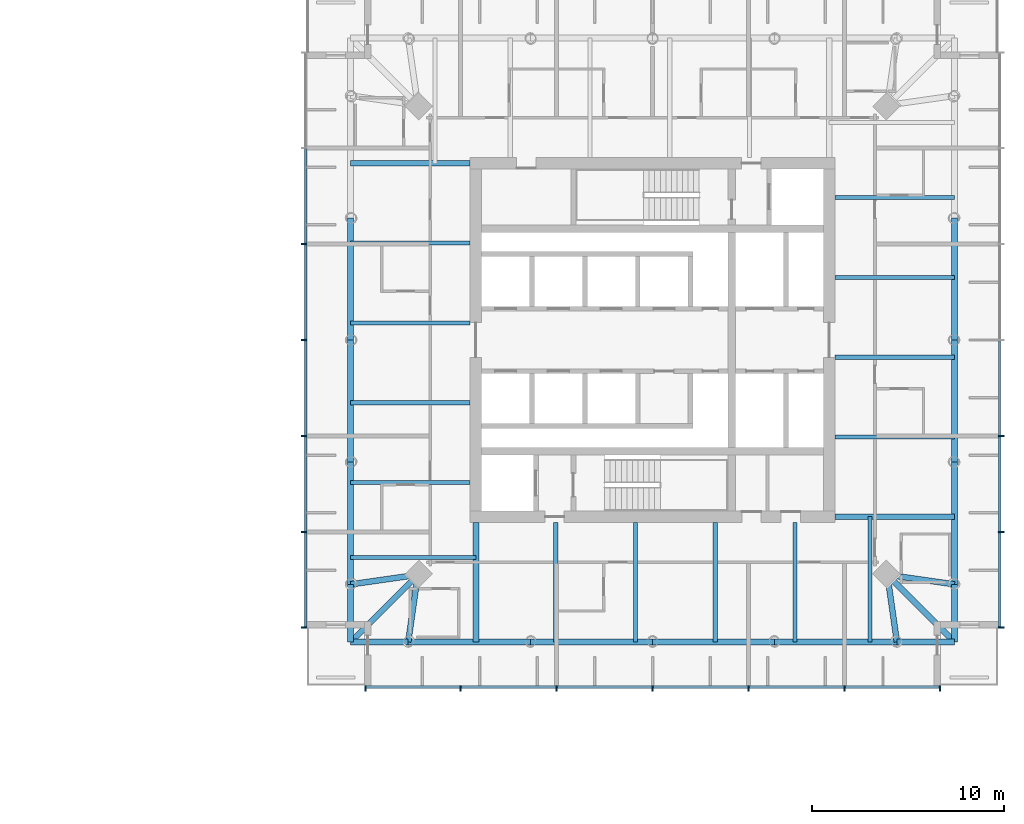
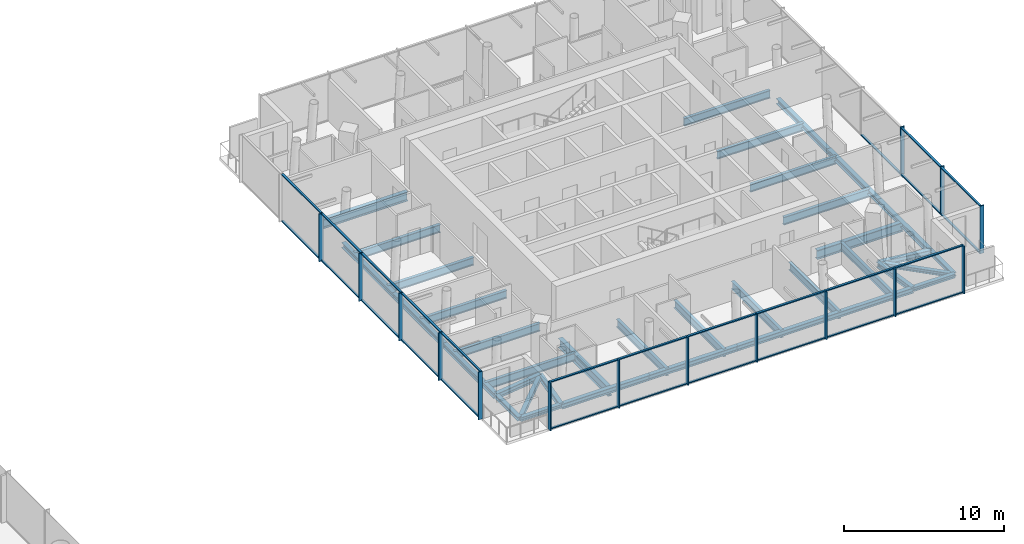
# One storey, part 4 of 18: 42 members, 37 beams, 3 elements without a shape of their own.
"""IFC4 building model written with IfcOpenShell, lengths in metres."""

from ifc_helpers import new_model, si_unit, direction, frame, origin, origin_2d, place, context, subcontext, project, spatial, rectangle, i_section, extrude, material, material_profile, profile_set, type_object, element, aggregate, save


model = new_model("IFC4")

# Units and contexts
model_context = context("Model", 3, precision=1e-05, world=origin(), true_north=direction((0.0, 1.0)))
body_context = subcontext(model_context, "Body", "Model", "MODEL_VIEW")
ifc_project = project(units=[si_unit("LENGTHUNIT", "METRE"), si_unit("AREAUNIT", "SQUARE_METRE"), si_unit("VOLUMEUNIT", "CUBIC_METRE"), si_unit("PLANEANGLEUNIT", "RADIAN"), si_unit("MASSUNIT", "GRAM", prefix="KILO")], contexts=[model_context])

# Site, building, storey
site_placement = place(None, origin())
site = spatial("IfcSite", under=ifc_project, at=site_placement, CompositionType="ELEMENT")
building_placement = place(site_placement, origin())
building = spatial("IfcBuilding", under=site, at=building_placement, Name="Ostroluk Exchange", CompositionType="ELEMENT")
storey_placement = place(building_placement, frame((0.0, 0.0, 97.0)))
storey = spatial("IfcBuildingStorey", under=building, at=storey_placement, Name="L24", CompositionType="ELEMENT", Elevation=97.0)

# Beams
ifc_material_1 = material(Name="Steel S355", Category="steel")
ifc_material_profile_1 = material_profile(ifc_material_1, i_section(OverallWidth=0.300048828125, OverallDepth=0.300048828125, WebThickness=0.010986328125, FlangeThickness=0.01904296875, FilletRadius=0.027099609375, at=origin_2d()), Name="HEB 300")
ifc_profile_set_1 = profile_set([ifc_material_profile_1], Name="Steel S355")
beam_type_1 = type_object("IfcBeamType", Name="Balcony beam HEB 300", PredefinedType="BEAM", material=ifc_profile_set_1)
for number, where, z_axis, x_axis, name in (
    (1, (101.27587890625, 33.27587890625, -0.35009765625), (0.0, -1.0, 0.0), (1.0, 0.0, 0.0), "T2 west balcony beam a"),
    (2, (104.27587890625, 30.27587890625, -0.35009765625), (-1.0, 0.0, 0.0), (0.0, -1.0, 0.0), "T2 west balcony beam b"),
):
    element("IfcBeam", number, at=place(storey_placement, frame(where, z_axis=z_axis, x_axis=x_axis)), inside=storey, type_object=beam_type_1, Name=name, PredefinedType="BEAM", context=body_context, shape_type="SweptSolid", body=[
        extrude(i_section(OverallWidth=0.300048828125, OverallDepth=0.300048828125, WebThickness=0.010986328125, FlangeThickness=0.01904296875, FilletRadius=0.027099609375, at=origin_2d()), origin(), (0.0, 0.0, 1.0), 3.0),
    ])
beam_1_placement = place(storey_placement, frame((104.77587890625, 33.77587890625, -0.35009765625), z_axis=(-0.707106781187, -0.707106781187, 0.0), x_axis=(0.707106781187, -0.707106781187, 0.0)))
element("IfcBeam", 3, at=beam_1_placement, inside=storey, type_object=beam_type_1, Name="T2 west balcony beam c", PredefinedType="BEAM", context=body_context, shape_type="SweptSolid", body=[
    extrude(i_section(OverallWidth=0.300048828125, OverallDepth=0.300048828125, WebThickness=0.010986328125, FlangeThickness=0.01904296875, FilletRadius=0.027099609375, at=origin_2d()), origin(), (0.0, 0.0, 1.0), 4.94970703125),
])
for number, where, z_axis, x_axis, name in (
    (4, (129.72412109375, 30.27587890625, -0.35009765625), (1.0, 0.0, 0.0), (0.0, 1.0, 0.0), "T2 south balcony beam a"),
    (5, (132.72412109375, 33.27587890625, -0.35009765625), (0.0, -1.0, 0.0), (1.0, 0.0, 0.0), "T2 south balcony beam b"),
):
    element("IfcBeam", number, at=place(storey_placement, frame(where, z_axis=z_axis, x_axis=x_axis)), inside=storey, type_object=beam_type_1, Name=name, PredefinedType="BEAM", context=body_context, shape_type="SweptSolid", body=[
        extrude(i_section(OverallWidth=0.300048828125, OverallDepth=0.300048828125, WebThickness=0.010986328125, FlangeThickness=0.01904296875, FilletRadius=0.027099609375, at=origin_2d()), origin(), (0.0, 0.0, 1.0), 3.0),
    ])
beam_2_placement = place(storey_placement, frame((129.22412109375, 33.77587890625, -0.35009765625), z_axis=(0.707106781187, -0.707106781187, 0.0), x_axis=(0.707106781187, 0.707106781187, 0.0)))
element("IfcBeam", 6, at=beam_2_placement, inside=storey, type_object=beam_type_1, Name="T2 south balcony beam c", PredefinedType="BEAM", context=body_context, shape_type="SweptSolid", body=[
    extrude(i_section(OverallWidth=0.300048828125, OverallDepth=0.300048828125, WebThickness=0.010986328125, FlangeThickness=0.01904296875, FilletRadius=0.027099609375, at=origin_2d()), origin(), (0.0, 0.0, 1.0), 4.94970703125),
])
ifc_material_2 = material(Name="Steel S355", Category="steel")
ifc_material_profile_2 = material_profile(ifc_material_2, i_section(OverallWidth=0.300048828125, OverallDepth=0.39990234375, WebThickness=0.013427734375, FlangeThickness=0.02392578125, FilletRadius=0.027099609375, at=origin_2d()), Name="HEB 400")
ifc_profile_set_2 = profile_set([ifc_material_profile_2], Name="Steel S355")
beam_type_2 = type_object("IfcBeamType", Name="Corner edge beam HEB 400", PredefinedType="SPANDREL", material=ifc_profile_set_2)
for number, where, z_axis, x_axis, name in (
    (7, (104.77587890625, 33.77587890625, -0.39990234375), (-0.989949493661, -0.141421356237, 0.0), (0.141421356237, -0.989949493661, 0.0), "T2 west corner edge beam a"),
    (8, (104.77587890625, 33.77587890625, -0.39990234375), (-0.141421356237, -0.989949493661, 0.0), (0.989949493661, -0.141421356237, 0.0), "T2 west corner edge beam b"),
    (9, (129.22412109375, 33.77587890625, -0.39990234375), (0.141421356237, -0.989949493661, 0.0), (0.989949493661, 0.141421356237, 0.0), "T2 south corner edge beam a"),
    (10, (129.22412109375, 33.77587890625, -0.39990234375), (0.989949493661, -0.141421356237, 0.0), (0.141421356237, 0.989949493661, 0.0), "T2 south corner edge beam b"),
):
    element("IfcBeam", number, at=place(storey_placement, frame(where, z_axis=z_axis, x_axis=x_axis)), inside=storey, type_object=beam_type_2, Name=name, PredefinedType="SPANDREL", context=body_context, shape_type="SweptSolid", body=[
        extrude(i_section(OverallWidth=0.300048828125, OverallDepth=0.39990234375, WebThickness=0.013427734375, FlangeThickness=0.02392578125, FilletRadius=0.027099609375, at=origin_2d()), origin(), (0.0, 0.0, 1.0), 3.53564453125),
    ])
ifc_material_3 = material(Name="Steel S355", Category="steel")
ifc_material_profile_3 = material_profile(ifc_material_3, i_section(OverallWidth=0.219970703125, OverallDepth=0.60009765625, WebThickness=0.011962890625, FlangeThickness=0.01904296875, FilletRadius=0.02392578125, at=origin_2d()), Name="IPE 600")
ifc_profile_set_3 = profile_set([ifc_material_profile_3], Name="Steel S355")
beam_type_3 = type_object("IfcBeamType", Name="Floor beam IPE 600", PredefinedType="BEAM", material=ifc_profile_set_3)
for number, where, z_axis, x_axis, name in (
    (11, (126.5, 40.9541015625, -0.5), (1.0, 0.0, 0.0), (0.0, 1.0, 0.0), "T2 east floor beam 1"),
    (12, (126.5, 45.108154296875, -0.5), (1.0, 0.0, 0.0), (0.0, 1.0, 0.0), "T2 east floor beam 2"),
    (13, (126.5, 49.261962890625, -0.5), (1.0, 0.0, 0.0), (0.0, 1.0, 0.0), "T2 east floor beam 3"),
    (14, (126.5, 53.416015625, -0.5), (1.0, 0.0, 0.0), (0.0, 1.0, 0.0), "T2 east floor beam 4"),
    (15, (107.5, 51.0458984375, -0.5), (-1.0, 0.0, 0.0), (0.0, -1.0, 0.0), "T2 west floor beam 1"),
    (16, (107.5, 46.891845703125, -0.5), (-1.0, 0.0, 0.0), (0.0, -1.0, 0.0), "T2 west floor beam 2"),
    (17, (107.5, 42.738037109375, -0.5), (-1.0, 0.0, 0.0), (0.0, -1.0, 0.0), "T2 west floor beam 3"),
    (18, (107.5, 38.583984375, -0.5), (-1.0, 0.0, 0.0), (0.0, -1.0, 0.0), "T2 west floor beam 4"),
):
    element("IfcBeam", number, at=place(storey_placement, frame(where, z_axis=z_axis, x_axis=x_axis)), inside=storey, type_object=beam_type_3, Name=name, PredefinedType="BEAM", context=body_context, shape_type="SweptSolid", body=[
        extrude(i_section(OverallWidth=0.219970703125, OverallDepth=0.60009765625, WebThickness=0.011962890625, FlangeThickness=0.01904296875, FilletRadius=0.02392578125, at=origin_2d()), origin(), (0.0, 0.0, 1.0), 6.22412109375),
    ])
beam_3_placement = place(storey_placement, frame((107.800048828125, 34.67578125, -0.5), z_axis=(-1.0, 0.0, 0.0), x_axis=(0.0, -1.0, 0.0)))
element("IfcBeam", 19, at=beam_3_placement, inside=storey, type_object=beam_type_3, Name="T2 west floor beam 5", PredefinedType="BEAM", context=body_context, shape_type="SweptSolid", body=[
    extrude(i_section(OverallWidth=0.219970703125, OverallDepth=0.60009765625, WebThickness=0.011962890625, FlangeThickness=0.01904296875, FilletRadius=0.02392578125, at=origin_2d()), origin(), (0.0, 0.0, 1.0), 6.524169921875),
])
for number, where, z_axis, x_axis, name in (
    (20, (111.9541015625, 36.5, -0.5), (0.0, -1.0, 0.0), (1.0, 0.0, 0.0), "T2 south floor beam 1"),
    (21, (116.108154296875, 36.5, -0.5), (0.0, -1.0, 0.0), (1.0, 0.0, 0.0), "T2 south floor beam 2"),
    (22, (120.261962890625, 36.5, -0.5), (0.0, -1.0, 0.0), (1.0, 0.0, 0.0), "T2 south floor beam 3"),
    (23, (124.416015625, 36.5, -0.5), (0.0, -1.0, 0.0), (1.0, 0.0, 0.0), "T2 south floor beam 4"),
):
    element("IfcBeam", number, at=place(storey_placement, frame(where, z_axis=z_axis, x_axis=x_axis)), inside=storey, type_object=beam_type_3, Name=name, PredefinedType="BEAM", context=body_context, shape_type="SweptSolid", body=[
        extrude(i_section(OverallWidth=0.219970703125, OverallDepth=0.60009765625, WebThickness=0.011962890625, FlangeThickness=0.01904296875, FilletRadius=0.02392578125, at=origin_2d()), origin(), (0.0, 0.0, 1.0), 6.22412109375),
    ])
beam_4_placement = place(storey_placement, frame((128.32421875, 36.800048828125, -0.5), z_axis=(0.0, -1.0, 0.0), x_axis=(1.0, 0.0, 0.0)))
element("IfcBeam", 24, at=beam_4_placement, inside=storey, type_object=beam_type_3, Name="T2 south floor beam 5", PredefinedType="BEAM", context=body_context, shape_type="SweptSolid", body=[
    extrude(i_section(OverallWidth=0.219970703125, OverallDepth=0.60009765625, WebThickness=0.011962890625, FlangeThickness=0.01904296875, FilletRadius=0.02392578125, at=origin_2d()), origin(), (0.0, 0.0, 1.0), 6.524169921875),
])
ifc_material_4 = material(Name="Steel S355", Category="steel")
ifc_material_profile_4 = material_profile(ifc_material_4, i_section(OverallWidth=0.300048828125, OverallDepth=0.699951171875, WebThickness=0.01708984375, FlangeThickness=0.031982421875, FilletRadius=0.027099609375, at=origin_2d()), Name="HEB 700")
ifc_profile_set_4 = profile_set([ifc_material_profile_4], Name="Steel S355")
beam_type_4 = type_object("IfcBeamType", Name="Girder HEB 700", PredefinedType="BEAM", material=ifc_profile_set_4)
for number, where, z_axis, x_axis, name in (
    (25, (107.5, 55.199951171875, -0.550048828125), (-1.0, 0.0, 0.0), (0.0, -1.0, 0.0), "T2 north girder"),
    (26, (107.800048828125, 36.5, -0.550048828125), (0.0, -1.0, 0.0), (1.0, 0.0, 0.0), "T2 west girder"),
    (27, (126.5, 36.800048828125, -0.550048828125), (1.0, 0.0, 0.0), (0.0, 1.0, 0.0), "T2 south girder"),
):
    element("IfcBeam", number, at=place(storey_placement, frame(where, z_axis=z_axis, x_axis=x_axis)), inside=storey, type_object=beam_type_4, Name=name, PredefinedType="BEAM", context=body_context, shape_type="SweptSolid", body=[
        extrude(i_section(OverallWidth=0.300048828125, OverallDepth=0.699951171875, WebThickness=0.01708984375, FlangeThickness=0.031982421875, FilletRadius=0.027099609375, at=origin_2d()), origin(), (0.0, 0.0, 1.0), 6.22412109375),
    ])
ifc_material_5 = material(Name="Steel S355", Category="steel")
ifc_material_profile_5 = material_profile(ifc_material_5, i_section(OverallWidth=0.300048828125, OverallDepth=0.39990234375, WebThickness=0.013427734375, FlangeThickness=0.02392578125, FilletRadius=0.027099609375, at=origin_2d()), Name="HEB 400")
ifc_profile_set_5 = profile_set([ifc_material_profile_5], Name="Steel S355")
beam_type_5 = type_object("IfcBeamType", Name="Moment-connected edge beam HEB 400", PredefinedType="SPANDREL", material=ifc_profile_set_5)
for number, where, z_axis, x_axis, name in (
    (28, (132.72412109375, 33.27587890625, -0.39990234375), (0.0, 1.0, 0.0), (-1.0, 0.0, 0.0), "T2 east edge beam 1"),
    (29, (132.72412109375, 39.637939453125, -0.39990234375), (0.0, 1.0, 0.0), (-1.0, 0.0, 0.0), "T2 east edge beam 2"),
    (30, (132.72412109375, 46.0, -0.39990234375), (0.0, 1.0, 0.0), (-1.0, 0.0, 0.0), "T2 east edge beam 3"),
    (31, (101.27587890625, 52.362060546875, -0.39990234375), (0.0, -1.0, 0.0), (1.0, 0.0, 0.0), "T2 west edge beam 2"),
    (32, (101.27587890625, 46.0, -0.39990234375), (0.0, -1.0, 0.0), (1.0, 0.0, 0.0), "T2 west edge beam 3"),
    (33, (101.27587890625, 39.637939453125, -0.39990234375), (0.0, -1.0, 0.0), (1.0, 0.0, 0.0), "T2 west edge beam 4"),
    (34, (104.27587890625, 30.27587890625, -0.39990234375), (1.0, 0.0, 0.0), (0.0, 1.0, 0.0), "T2 south edge beam 1"),
    (35, (110.637939453125, 30.27587890625, -0.39990234375), (1.0, 0.0, 0.0), (0.0, 1.0, 0.0), "T2 south edge beam 2"),
    (36, (117.0, 30.27587890625, -0.39990234375), (1.0, 0.0, 0.0), (0.0, 1.0, 0.0), "T2 south edge beam 3"),
    (37, (123.362060546875, 30.27587890625, -0.39990234375), (1.0, 0.0, 0.0), (0.0, 1.0, 0.0), "T2 south edge beam 4"),
):
    element("IfcBeam", number, at=place(storey_placement, frame(where, z_axis=z_axis, x_axis=x_axis)), inside=storey, type_object=beam_type_5, Name=name, PredefinedType="SPANDREL", context=body_context, shape_type="SweptSolid", body=[
        extrude(i_section(OverallWidth=0.300048828125, OverallDepth=0.39990234375, WebThickness=0.013427734375, FlangeThickness=0.02392578125, FilletRadius=0.027099609375, at=origin_2d()), origin(), (0.0, 0.0, 1.0), 6.362060546875),
    ])

# Curtain wall, members
ifc_material_6 = material(Name="Laminated clear glass", Category="glass")
curtain_wall_type = type_object("IfcCurtainWallType", Name="Hotel guest floor facade", PredefinedType="USERDEFINED", material=ifc_material_6)
curtain_wall_1_placement = place(storey_placement, origin())
curtain_wall_1 = element("IfcCurtainWall", 38, at=curtain_wall_1_placement, inside=storey, type_object=curtain_wall_type, Name="Hotel tower south facade L24", ObjectType="UNITISED CURTAIN WALL", PredefinedType="USERDEFINED")
ifc_material_7 = material(Name="Aluminium mullion", Category="aluminium")
ifc_material_profile_6 = material_profile(ifc_material_7, rectangle(XDim=0.14990234375, YDim=0.080078125, at=origin_2d()), Name="Sill transom 80 x 150")
ifc_profile_set_6 = profile_set([ifc_material_profile_6], Name="Aluminium mullion")
member_type_1 = type_object("IfcMemberType", Name="Sill transom 80 x 150", PredefinedType="USERDEFINED", material=ifc_profile_set_6)
member_1_placement = place(storey_placement, frame((102.080078125, 27.925048828125, 0.0400390625), z_axis=(1.0, 0.0, 0.0), x_axis=(0.0, 1.0, 0.0)))
member_1 = element("IfcMember", 39, at=member_1_placement, type_object=member_type_1, Name="CW-H1 transom 1.1", ObjectType="TRANSOM", PredefinedType="USERDEFINED", context=body_context, shape_type="SweptSolid", body=[
    extrude(rectangle(XDim=0.14990234375, YDim=0.080078125, at=origin_2d()), origin(), (0.0, 0.0, 1.0), 4.8798828125),
])
member_2_placement = place(storey_placement, frame((102.080078125, 27.925048828125, 3.610107421875), z_axis=(1.0, 0.0, 0.0), x_axis=(0.0, 1.0, 0.0)))
member_2 = element("IfcMember", 40, at=member_2_placement, type_object=member_type_1, Name="CW-H1 transom 1.2", ObjectType="TRANSOM", PredefinedType="USERDEFINED", context=body_context, shape_type="SweptSolid", body=[
    extrude(rectangle(XDim=0.14990234375, YDim=0.080078125, at=origin_2d()), origin(), (0.0, 0.0, 1.0), 4.8798828125),
])
member_3_placement = place(storey_placement, frame((107.0400390625, 27.925048828125, 0.0400390625), z_axis=(1.0, 0.0, 0.0), x_axis=(0.0, 1.0, 0.0)))
member_3 = element("IfcMember", 41, at=member_3_placement, type_object=member_type_1, Name="CW-H1 transom 2.1", ObjectType="TRANSOM", PredefinedType="USERDEFINED", context=body_context, shape_type="SweptSolid", body=[
    extrude(rectangle(XDim=0.14990234375, YDim=0.080078125, at=origin_2d()), origin(), (0.0, 0.0, 1.0), 4.919921875),
])
member_4_placement = place(storey_placement, frame((107.0400390625, 27.925048828125, 3.610107421875), z_axis=(1.0, 0.0, 0.0), x_axis=(0.0, 1.0, 0.0)))
member_4 = element("IfcMember", 42, at=member_4_placement, type_object=member_type_1, Name="CW-H1 transom 2.2", ObjectType="TRANSOM", PredefinedType="USERDEFINED", context=body_context, shape_type="SweptSolid", body=[
    extrude(rectangle(XDim=0.14990234375, YDim=0.080078125, at=origin_2d()), origin(), (0.0, 0.0, 1.0), 4.919921875),
])
member_5_placement = place(storey_placement, frame((112.0400390625, 27.925048828125, 0.0400390625), z_axis=(1.0, 0.0, 0.0), x_axis=(0.0, 1.0, 0.0)))
member_5 = element("IfcMember", 43, at=member_5_placement, type_object=member_type_1, Name="CW-H1 transom 3.1", ObjectType="TRANSOM", PredefinedType="USERDEFINED", context=body_context, shape_type="SweptSolid", body=[
    extrude(rectangle(XDim=0.14990234375, YDim=0.080078125, at=origin_2d()), origin(), (0.0, 0.0, 1.0), 4.919921875),
])
member_6_placement = place(storey_placement, frame((112.0400390625, 27.925048828125, 3.610107421875), z_axis=(1.0, 0.0, 0.0), x_axis=(0.0, 1.0, 0.0)))
member_6 = element("IfcMember", 44, at=member_6_placement, type_object=member_type_1, Name="CW-H1 transom 3.2", ObjectType="TRANSOM", PredefinedType="USERDEFINED", context=body_context, shape_type="SweptSolid", body=[
    extrude(rectangle(XDim=0.14990234375, YDim=0.080078125, at=origin_2d()), origin(), (0.0, 0.0, 1.0), 4.919921875),
])
member_7_placement = place(storey_placement, frame((117.0400390625, 27.925048828125, 0.0400390625), z_axis=(1.0, 0.0, 0.0), x_axis=(0.0, 1.0, 0.0)))
member_7 = element("IfcMember", 45, at=member_7_placement, type_object=member_type_1, Name="CW-H1 transom 4.1", ObjectType="TRANSOM", PredefinedType="USERDEFINED", context=body_context, shape_type="SweptSolid", body=[
    extrude(rectangle(XDim=0.14990234375, YDim=0.080078125, at=origin_2d()), origin(), (0.0, 0.0, 1.0), 4.919921875),
])
member_8_placement = place(storey_placement, frame((117.0400390625, 27.925048828125, 3.610107421875), z_axis=(1.0, 0.0, 0.0), x_axis=(0.0, 1.0, 0.0)))
member_8 = element("IfcMember", 46, at=member_8_placement, type_object=member_type_1, Name="CW-H1 transom 4.2", ObjectType="TRANSOM", PredefinedType="USERDEFINED", context=body_context, shape_type="SweptSolid", body=[
    extrude(rectangle(XDim=0.14990234375, YDim=0.080078125, at=origin_2d()), origin(), (0.0, 0.0, 1.0), 4.919921875),
])
member_9_placement = place(storey_placement, frame((122.0400390625, 27.925048828125, 0.0400390625), z_axis=(1.0, 0.0, 0.0), x_axis=(0.0, 1.0, 0.0)))
member_9 = element("IfcMember", 47, at=member_9_placement, type_object=member_type_1, Name="CW-H1 transom 5.1", ObjectType="TRANSOM", PredefinedType="USERDEFINED", context=body_context, shape_type="SweptSolid", body=[
    extrude(rectangle(XDim=0.14990234375, YDim=0.080078125, at=origin_2d()), origin(), (0.0, 0.0, 1.0), 4.919921875),
])
member_10_placement = place(storey_placement, frame((122.0400390625, 27.925048828125, 3.610107421875), z_axis=(1.0, 0.0, 0.0), x_axis=(0.0, 1.0, 0.0)))
member_10 = element("IfcMember", 48, at=member_10_placement, type_object=member_type_1, Name="CW-H1 transom 5.2", ObjectType="TRANSOM", PredefinedType="USERDEFINED", context=body_context, shape_type="SweptSolid", body=[
    extrude(rectangle(XDim=0.14990234375, YDim=0.080078125, at=origin_2d()), origin(), (0.0, 0.0, 1.0), 4.919921875),
])
member_11_placement = place(storey_placement, frame((127.0400390625, 27.925048828125, 0.0400390625), z_axis=(1.0, 0.0, 0.0), x_axis=(0.0, 1.0, 0.0)))
member_11 = element("IfcMember", 49, at=member_11_placement, type_object=member_type_1, Name="CW-H1 transom 6.1", ObjectType="TRANSOM", PredefinedType="USERDEFINED", context=body_context, shape_type="SweptSolid", body=[
    extrude(rectangle(XDim=0.14990234375, YDim=0.080078125, at=origin_2d()), origin(), (0.0, 0.0, 1.0), 4.8798828125),
])
member_12_placement = place(storey_placement, frame((127.0400390625, 27.925048828125, 3.610107421875), z_axis=(1.0, 0.0, 0.0), x_axis=(0.0, 1.0, 0.0)))
member_12 = element("IfcMember", 50, at=member_12_placement, type_object=member_type_1, Name="CW-H1 transom 6.2", ObjectType="TRANSOM", PredefinedType="USERDEFINED", context=body_context, shape_type="SweptSolid", body=[
    extrude(rectangle(XDim=0.14990234375, YDim=0.080078125, at=origin_2d()), origin(), (0.0, 0.0, 1.0), 4.8798828125),
])

curtain_wall_2_placement = place(storey_placement, origin())
curtain_wall_2 = element("IfcCurtainWall", 51, at=curtain_wall_2_placement, inside=storey, type_object=curtain_wall_type, Name="Hotel tower east facade L24", ObjectType="UNITISED CURTAIN WALL", PredefinedType="USERDEFINED")
member_13_placement = place(storey_placement, frame((135.074951171875, 31.080078125, 0.0400390625), z_axis=(0.0, 1.0, 0.0), x_axis=(-1.0, 0.0, 0.0)))
member_13 = element("IfcMember", 52, at=member_13_placement, type_object=member_type_1, Name="CW-H1 transom 1.1", ObjectType="TRANSOM", PredefinedType="USERDEFINED", context=body_context, shape_type="SweptSolid", body=[
    extrude(rectangle(XDim=0.14990234375, YDim=0.080078125, at=origin_2d()), origin(), (0.0, 0.0, 1.0), 4.8798828125),
])
member_14_placement = place(storey_placement, frame((135.074951171875, 31.080078125, 3.610107421875), z_axis=(0.0, 1.0, 0.0), x_axis=(-1.0, 0.0, 0.0)))
member_14 = element("IfcMember", 53, at=member_14_placement, type_object=member_type_1, Name="CW-H1 transom 1.2", ObjectType="TRANSOM", PredefinedType="USERDEFINED", context=body_context, shape_type="SweptSolid", body=[
    extrude(rectangle(XDim=0.14990234375, YDim=0.080078125, at=origin_2d()), origin(), (0.0, 0.0, 1.0), 4.8798828125),
])
member_15_placement = place(storey_placement, frame((135.074951171875, 36.0400390625, 0.0400390625), z_axis=(0.0, 1.0, 0.0), x_axis=(-1.0, 0.0, 0.0)))
member_15 = element("IfcMember", 54, at=member_15_placement, type_object=member_type_1, Name="CW-H1 transom 2.1", ObjectType="TRANSOM", PredefinedType="USERDEFINED", context=body_context, shape_type="SweptSolid", body=[
    extrude(rectangle(XDim=0.14990234375, YDim=0.080078125, at=origin_2d()), origin(), (0.0, 0.0, 1.0), 4.919921875),
])
member_16_placement = place(storey_placement, frame((135.074951171875, 36.0400390625, 3.610107421875), z_axis=(0.0, 1.0, 0.0), x_axis=(-1.0, 0.0, 0.0)))
member_16 = element("IfcMember", 55, at=member_16_placement, type_object=member_type_1, Name="CW-H1 transom 2.2", ObjectType="TRANSOM", PredefinedType="USERDEFINED", context=body_context, shape_type="SweptSolid", body=[
    extrude(rectangle(XDim=0.14990234375, YDim=0.080078125, at=origin_2d()), origin(), (0.0, 0.0, 1.0), 4.919921875),
])
member_17_placement = place(storey_placement, frame((135.074951171875, 41.0400390625, 0.0400390625), z_axis=(0.0, 1.0, 0.0), x_axis=(-1.0, 0.0, 0.0)))
member_17 = element("IfcMember", 56, at=member_17_placement, type_object=member_type_1, Name="CW-H1 transom 3.1", ObjectType="TRANSOM", PredefinedType="USERDEFINED", context=body_context, shape_type="SweptSolid", body=[
    extrude(rectangle(XDim=0.14990234375, YDim=0.080078125, at=origin_2d()), origin(), (0.0, 0.0, 1.0), 4.919921875),
])

curtain_wall_3_placement = place(storey_placement, origin())
curtain_wall_3 = element("IfcCurtainWall", 57, at=curtain_wall_3_placement, inside=storey, type_object=curtain_wall_type, Name="Hotel tower west facade L24", ObjectType="UNITISED CURTAIN WALL", PredefinedType="USERDEFINED")
member_18_placement = place(storey_placement, frame((98.925048828125, 55.9599609375, 0.0400390625), z_axis=(0.0, -1.0, 0.0), x_axis=(1.0, 0.0, 0.0)))
member_18 = element("IfcMember", 58, at=member_18_placement, type_object=member_type_1, Name="CW-H1 transom 2.1", ObjectType="TRANSOM", PredefinedType="USERDEFINED", context=body_context, shape_type="SweptSolid", body=[
    extrude(rectangle(XDim=0.14990234375, YDim=0.080078125, at=origin_2d()), origin(), (0.0, 0.0, 1.0), 4.919921875),
])
member_19_placement = place(storey_placement, frame((98.925048828125, 55.9599609375, 3.610107421875), z_axis=(0.0, -1.0, 0.0), x_axis=(1.0, 0.0, 0.0)))
member_19 = element("IfcMember", 59, at=member_19_placement, type_object=member_type_1, Name="CW-H1 transom 2.2", ObjectType="TRANSOM", PredefinedType="USERDEFINED", context=body_context, shape_type="SweptSolid", body=[
    extrude(rectangle(XDim=0.14990234375, YDim=0.080078125, at=origin_2d()), origin(), (0.0, 0.0, 1.0), 4.919921875),
])
member_20_placement = place(storey_placement, frame((98.925048828125, 50.9599609375, 0.0400390625), z_axis=(0.0, -1.0, 0.0), x_axis=(1.0, 0.0, 0.0)))
member_20 = element("IfcMember", 60, at=member_20_placement, type_object=member_type_1, Name="CW-H1 transom 3.1", ObjectType="TRANSOM", PredefinedType="USERDEFINED", context=body_context, shape_type="SweptSolid", body=[
    extrude(rectangle(XDim=0.14990234375, YDim=0.080078125, at=origin_2d()), origin(), (0.0, 0.0, 1.0), 4.919921875),
])
member_21_placement = place(storey_placement, frame((98.925048828125, 50.9599609375, 3.610107421875), z_axis=(0.0, -1.0, 0.0), x_axis=(1.0, 0.0, 0.0)))
member_21 = element("IfcMember", 61, at=member_21_placement, type_object=member_type_1, Name="CW-H1 transom 3.2", ObjectType="TRANSOM", PredefinedType="USERDEFINED", context=body_context, shape_type="SweptSolid", body=[
    extrude(rectangle(XDim=0.14990234375, YDim=0.080078125, at=origin_2d()), origin(), (0.0, 0.0, 1.0), 4.919921875),
])
member_22_placement = place(storey_placement, frame((98.925048828125, 45.9599609375, 0.0400390625), z_axis=(0.0, -1.0, 0.0), x_axis=(1.0, 0.0, 0.0)))
member_22 = element("IfcMember", 62, at=member_22_placement, type_object=member_type_1, Name="CW-H1 transom 4.1", ObjectType="TRANSOM", PredefinedType="USERDEFINED", context=body_context, shape_type="SweptSolid", body=[
    extrude(rectangle(XDim=0.14990234375, YDim=0.080078125, at=origin_2d()), origin(), (0.0, 0.0, 1.0), 4.919921875),
])
member_23_placement = place(storey_placement, frame((98.925048828125, 45.9599609375, 3.610107421875), z_axis=(0.0, -1.0, 0.0), x_axis=(1.0, 0.0, 0.0)))
member_23 = element("IfcMember", 63, at=member_23_placement, type_object=member_type_1, Name="CW-H1 transom 4.2", ObjectType="TRANSOM", PredefinedType="USERDEFINED", context=body_context, shape_type="SweptSolid", body=[
    extrude(rectangle(XDim=0.14990234375, YDim=0.080078125, at=origin_2d()), origin(), (0.0, 0.0, 1.0), 4.919921875),
])
member_24_placement = place(storey_placement, frame((98.925048828125, 40.9599609375, 0.0400390625), z_axis=(0.0, -1.0, 0.0), x_axis=(1.0, 0.0, 0.0)))
member_24 = element("IfcMember", 64, at=member_24_placement, type_object=member_type_1, Name="CW-H1 transom 5.1", ObjectType="TRANSOM", PredefinedType="USERDEFINED", context=body_context, shape_type="SweptSolid", body=[
    extrude(rectangle(XDim=0.14990234375, YDim=0.080078125, at=origin_2d()), origin(), (0.0, 0.0, 1.0), 4.919921875),
])
member_25_placement = place(storey_placement, frame((98.925048828125, 40.9599609375, 3.610107421875), z_axis=(0.0, -1.0, 0.0), x_axis=(1.0, 0.0, 0.0)))
member_25 = element("IfcMember", 65, at=member_25_placement, type_object=member_type_1, Name="CW-H1 transom 5.2", ObjectType="TRANSOM", PredefinedType="USERDEFINED", context=body_context, shape_type="SweptSolid", body=[
    extrude(rectangle(XDim=0.14990234375, YDim=0.080078125, at=origin_2d()), origin(), (0.0, 0.0, 1.0), 4.919921875),
])
member_26_placement = place(storey_placement, frame((98.925048828125, 35.9599609375, 0.0400390625), z_axis=(0.0, -1.0, 0.0), x_axis=(1.0, 0.0, 0.0)))
member_26 = element("IfcMember", 66, at=member_26_placement, type_object=member_type_1, Name="CW-H1 transom 6.1", ObjectType="TRANSOM", PredefinedType="USERDEFINED", context=body_context, shape_type="SweptSolid", body=[
    extrude(rectangle(XDim=0.14990234375, YDim=0.080078125, at=origin_2d()), origin(), (0.0, 0.0, 1.0), 4.8798828125),
])
member_27_placement = place(storey_placement, frame((98.925048828125, 35.9599609375, 3.610107421875), z_axis=(0.0, -1.0, 0.0), x_axis=(1.0, 0.0, 0.0)))
member_27 = element("IfcMember", 67, at=member_27_placement, type_object=member_type_1, Name="CW-H1 transom 6.2", ObjectType="TRANSOM", PredefinedType="USERDEFINED", context=body_context, shape_type="SweptSolid", body=[
    extrude(rectangle(XDim=0.14990234375, YDim=0.080078125, at=origin_2d()), origin(), (0.0, 0.0, 1.0), 4.8798828125),
])

# Member
ifc_material_8 = material(Name="Aluminium mullion with limestone facing", Category="masonry")
ifc_material_profile_7 = material_profile(ifc_material_8, rectangle(XDim=0.300048828125, YDim=0.080078125, at=origin_2d()), Name="Tracery mullion 80 x 300")
ifc_profile_set_7 = profile_set([ifc_material_profile_7], Name="Aluminium mullion with limestone facing")
member_type_2 = type_object("IfcMemberType", Name="Tracery mullion 80 x 300", PredefinedType="MULLION", material=ifc_profile_set_7)
member_28_placement = place(storey_placement, frame((102.0400390625, 27.85009765625, 0.0), z_axis=(0.0, 0.0, 1.0), x_axis=(0.0, 1.0, 0.0)))
member_28 = element("IfcMember", 68, at=member_28_placement, type_object=member_type_2, Name="CW-H1 mullion 1", PredefinedType="MULLION", context=body_context, shape_type="SweptSolid", body=[
    extrude(rectangle(XDim=0.300048828125, YDim=0.080078125, at=origin_2d()), origin(), (0.0, 0.0, 1.0), 3.64990234375),
])

member_29_placement = place(storey_placement, frame((107.0, 27.85009765625, 0.0), z_axis=(0.0, 0.0, 1.0), x_axis=(0.0, 1.0, 0.0)))
member_29 = element("IfcMember", 69, at=member_29_placement, type_object=member_type_2, Name="CW-H1 mullion 2", PredefinedType="MULLION", context=body_context, shape_type="SweptSolid", body=[
    extrude(rectangle(XDim=0.300048828125, YDim=0.080078125, at=origin_2d()), origin(), (0.0, 0.0, 1.0), 3.64990234375),
])

member_30_placement = place(storey_placement, frame((112.0, 27.85009765625, 0.0), z_axis=(0.0, 0.0, 1.0), x_axis=(0.0, 1.0, 0.0)))
member_30 = element("IfcMember", 70, at=member_30_placement, type_object=member_type_2, Name="CW-H1 mullion 3", PredefinedType="MULLION", context=body_context, shape_type="SweptSolid", body=[
    extrude(rectangle(XDim=0.300048828125, YDim=0.080078125, at=origin_2d()), origin(), (0.0, 0.0, 1.0), 3.64990234375),
])

member_31_placement = place(storey_placement, frame((117.0, 27.85009765625, 0.0), z_axis=(0.0, 0.0, 1.0), x_axis=(0.0, 1.0, 0.0)))
member_31 = element("IfcMember", 71, at=member_31_placement, type_object=member_type_2, Name="CW-H1 mullion 4", PredefinedType="MULLION", context=body_context, shape_type="SweptSolid", body=[
    extrude(rectangle(XDim=0.300048828125, YDim=0.080078125, at=origin_2d()), origin(), (0.0, 0.0, 1.0), 3.64990234375),
])

member_32_placement = place(storey_placement, frame((122.0, 27.85009765625, 0.0), z_axis=(0.0, 0.0, 1.0), x_axis=(0.0, 1.0, 0.0)))
member_32 = element("IfcMember", 72, at=member_32_placement, type_object=member_type_2, Name="CW-H1 mullion 5", PredefinedType="MULLION", context=body_context, shape_type="SweptSolid", body=[
    extrude(rectangle(XDim=0.300048828125, YDim=0.080078125, at=origin_2d()), origin(), (0.0, 0.0, 1.0), 3.64990234375),
])

member_33_placement = place(storey_placement, frame((127.0, 27.85009765625, 0.0), z_axis=(0.0, 0.0, 1.0), x_axis=(0.0, 1.0, 0.0)))
member_33 = element("IfcMember", 73, at=member_33_placement, type_object=member_type_2, Name="CW-H1 mullion 6", PredefinedType="MULLION", context=body_context, shape_type="SweptSolid", body=[
    extrude(rectangle(XDim=0.300048828125, YDim=0.080078125, at=origin_2d()), origin(), (0.0, 0.0, 1.0), 3.64990234375),
])

member_34_placement = place(storey_placement, frame((131.9599609375, 27.85009765625, 0.0), z_axis=(0.0, 0.0, 1.0), x_axis=(0.0, 1.0, 0.0)))
member_34 = element("IfcMember", 74, at=member_34_placement, type_object=member_type_2, Name="CW-H1 mullion 7", PredefinedType="MULLION", context=body_context, shape_type="SweptSolid", body=[
    extrude(rectangle(XDim=0.300048828125, YDim=0.080078125, at=origin_2d()), origin(), (0.0, 0.0, 1.0), 3.64990234375),
])

aggregate(curtain_wall_1, [member_28, member_29, member_30, member_31, member_32, member_33, member_34, member_1, member_2, member_3, member_4, member_5, member_6, member_7, member_8, member_9, member_10, member_11, member_12])

member_35_placement = place(storey_placement, frame((135.14990234375, 31.0400390625, 0.0), z_axis=(0.0, 0.0, 1.0), x_axis=(-1.0, 0.0, 0.0)))
member_35 = element("IfcMember", 75, at=member_35_placement, type_object=member_type_2, Name="CW-H1 mullion 1", PredefinedType="MULLION", context=body_context, shape_type="SweptSolid", body=[
    extrude(rectangle(XDim=0.300048828125, YDim=0.080078125, at=origin_2d()), origin(), (0.0, 0.0, 1.0), 3.64990234375),
])

member_36_placement = place(storey_placement, frame((135.14990234375, 36.0, 0.0), z_axis=(0.0, 0.0, 1.0), x_axis=(-1.0, 0.0, 0.0)))
member_36 = element("IfcMember", 76, at=member_36_placement, type_object=member_type_2, Name="CW-H1 mullion 2", PredefinedType="MULLION", context=body_context, shape_type="SweptSolid", body=[
    extrude(rectangle(XDim=0.300048828125, YDim=0.080078125, at=origin_2d()), origin(), (0.0, 0.0, 1.0), 3.64990234375),
])

member_37_placement = place(storey_placement, frame((135.14990234375, 41.0, 0.0), z_axis=(0.0, 0.0, 1.0), x_axis=(-1.0, 0.0, 0.0)))
member_37 = element("IfcMember", 77, at=member_37_placement, type_object=member_type_2, Name="CW-H1 mullion 3", PredefinedType="MULLION", context=body_context, shape_type="SweptSolid", body=[
    extrude(rectangle(XDim=0.300048828125, YDim=0.080078125, at=origin_2d()), origin(), (0.0, 0.0, 1.0), 3.64990234375),
])

aggregate(curtain_wall_2, [member_35, member_36, member_37, member_13, member_14, member_15, member_16, member_17])

member_38_placement = place(storey_placement, frame((98.85009765625, 51.0, 0.0), z_axis=(0.0, 0.0, 1.0), x_axis=(1.0, 0.0, 0.0)))
member_38 = element("IfcMember", 78, at=member_38_placement, type_object=member_type_2, Name="CW-H1 mullion 3", PredefinedType="MULLION", context=body_context, shape_type="SweptSolid", body=[
    extrude(rectangle(XDim=0.300048828125, YDim=0.080078125, at=origin_2d()), origin(), (0.0, 0.0, 1.0), 3.64990234375),
])

member_39_placement = place(storey_placement, frame((98.85009765625, 46.0, 0.0), z_axis=(0.0, 0.0, 1.0), x_axis=(1.0, 0.0, 0.0)))
member_39 = element("IfcMember", 79, at=member_39_placement, type_object=member_type_2, Name="CW-H1 mullion 4", PredefinedType="MULLION", context=body_context, shape_type="SweptSolid", body=[
    extrude(rectangle(XDim=0.300048828125, YDim=0.080078125, at=origin_2d()), origin(), (0.0, 0.0, 1.0), 3.64990234375),
])

member_40_placement = place(storey_placement, frame((98.85009765625, 41.0, 0.0), z_axis=(0.0, 0.0, 1.0), x_axis=(1.0, 0.0, 0.0)))
member_40 = element("IfcMember", 80, at=member_40_placement, type_object=member_type_2, Name="CW-H1 mullion 5", PredefinedType="MULLION", context=body_context, shape_type="SweptSolid", body=[
    extrude(rectangle(XDim=0.300048828125, YDim=0.080078125, at=origin_2d()), origin(), (0.0, 0.0, 1.0), 3.64990234375),
])

member_41_placement = place(storey_placement, frame((98.85009765625, 36.0, 0.0), z_axis=(0.0, 0.0, 1.0), x_axis=(1.0, 0.0, 0.0)))
member_41 = element("IfcMember", 81, at=member_41_placement, type_object=member_type_2, Name="CW-H1 mullion 6", PredefinedType="MULLION", context=body_context, shape_type="SweptSolid", body=[
    extrude(rectangle(XDim=0.300048828125, YDim=0.080078125, at=origin_2d()), origin(), (0.0, 0.0, 1.0), 3.64990234375),
])

member_42_placement = place(storey_placement, frame((98.85009765625, 31.0400390625, 0.0), z_axis=(0.0, 0.0, 1.0), x_axis=(1.0, 0.0, 0.0)))
member_42 = element("IfcMember", 82, at=member_42_placement, type_object=member_type_2, Name="CW-H1 mullion 7", PredefinedType="MULLION", context=body_context, shape_type="SweptSolid", body=[
    extrude(rectangle(XDim=0.300048828125, YDim=0.080078125, at=origin_2d()), origin(), (0.0, 0.0, 1.0), 3.64990234375),
])

aggregate(curtain_wall_3, [member_38, member_39, member_40, member_41, member_42, member_18, member_19, member_20, member_21, member_22, member_23, member_24, member_25, member_26, member_27])

save(model, "model.ifc")
